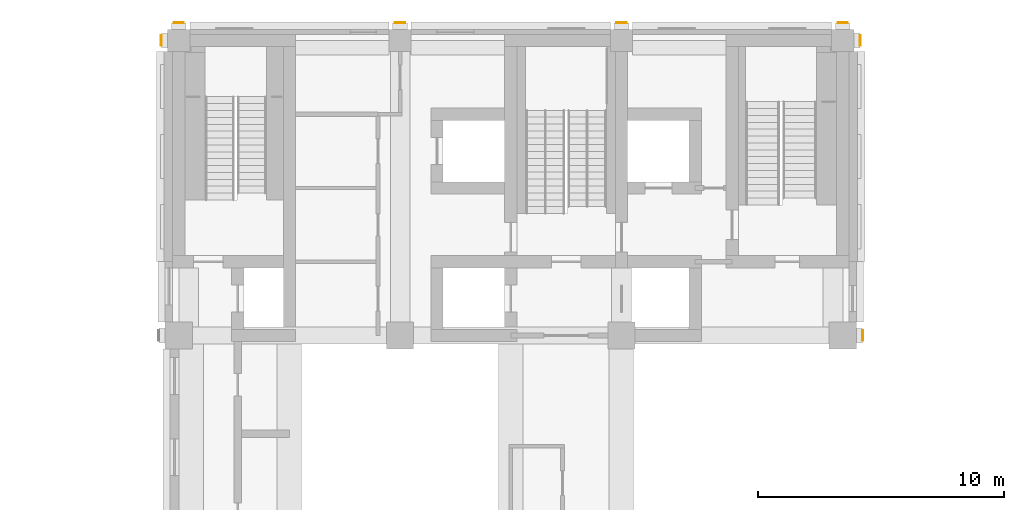
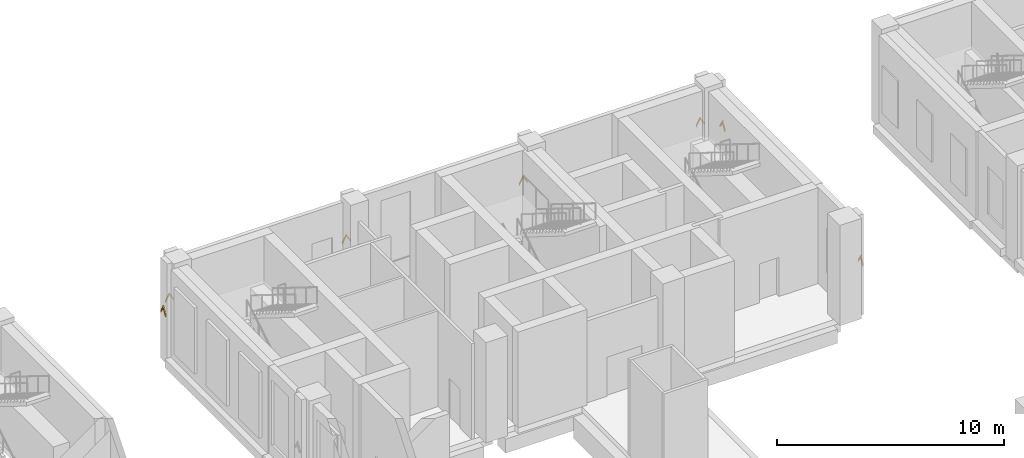
# One storey, part 53 of 53: 7 coverings.
"""IFC4 building model written with IfcOpenShell, lengths in metres."""

from ifc_helpers import new_model, si_unit, direction, frame, origin, place, context, subcontext, project, spatial, polyline, outline, extrude, material, layer, layer_set, type_object, element, save


model = new_model("IFC4")

# Units and contexts
model_context = context("Model", 3, precision=1e-05, world=origin(), true_north=direction((0.0, 1.0)))
body_context = subcontext(model_context, "Body", "Model", "MODEL_VIEW")
ifc_project = project(units=[si_unit("LENGTHUNIT", "METRE"), si_unit("AREAUNIT", "SQUARE_METRE"), si_unit("VOLUMEUNIT", "CUBIC_METRE"), si_unit("PLANEANGLEUNIT", "RADIAN"), si_unit("MASSUNIT", "GRAM", prefix="KILO")], contexts=[model_context])

# Site, building, storey
site_placement = place(None, origin())
site = spatial("IfcSite", under=ifc_project, at=site_placement, CompositionType="ELEMENT")
building_placement = place(site_placement, origin())
building = spatial("IfcBuilding", under=site, at=building_placement, Name="Aurelan Courthouse", CompositionType="ELEMENT")
storey_placement = place(building_placement, frame((0.0, 0.0, 12.0)))
storey = spatial("IfcBuildingStorey", under=building, at=storey_placement, Name="L02", CompositionType="ELEMENT", Elevation=12.0)

# Coverings
ifc_material = material(Name="Bronze sheet cladding")
ifc_layer = layer(ifc_material, 0.0400390625)
ifc_layer_set = layer_set([ifc_layer], Name="Bronze sheet cladding")
covering_type = type_object("IfcCoveringType", Name="Courtroom Block chevron relief 420 x 470", PredefinedType="CLADDING", material=ifc_layer_set)
for number, where, z_axis, x_axis, name in (
    (1, (36.0, 66.699951171875, -12.0), (0.0, 1.0, 0.0), (-1.0, 0.0, 0.0), "Chevron relief CH-V2-003"),
    (2, (45.0, 66.699951171875, -12.0), (0.0, 1.0, 0.0), (-1.0, 0.0, 0.0), "Chevron relief CH-V2-004"),
    (3, (54.0, 66.699951171875, -12.0), (0.0, 1.0, 0.0), (-1.0, 0.0, 0.0), "Chevron relief CH-V2-005"),
    (4, (63.0, 66.699951171875, -12.0), (0.0, 1.0, 0.0), (-1.0, 0.0, 0.0), "Chevron relief CH-V2-006"),
    (5, (63.800048828125, 54.0, -12.0), (1.0, 0.0, 0.0), (0.0, 1.0, 0.0), "Chevron relief CH-V2-007"),
    (6, (63.699951171875, 66.0, -12.0), (1.0, 0.0, 0.0), (0.0, 1.0, 0.0), "Chevron relief CH-V2-008"),
    (7, (35.300048828125, 66.0, -12.0), (-1.0, 0.0, 0.0), (0.0, -1.0, 0.0), "Chevron relief CH-V2-011"),
):
    element("IfcCovering", number, at=place(storey_placement, frame(where, z_axis=z_axis, x_axis=x_axis)), inside=storey, type_object=covering_type, Name=name, PredefinedType="CLADDING", context=body_context, shape_type="SweptSolid", body=[
        extrude(outline(polyline([(-0.2099609375, 14.52490234375), (0.0, 14.875), (0.2099609375, 14.52490234375), (0.2099609375, 14.64501953125), (0.0, 14.9951171875), (-0.2099609375, 14.64501953125), (-0.2099609375, 14.52490234375)])), origin(), (0.0, 0.0, 1.0), 0.0400390625),
    ])

save(model, "model.ifc")
